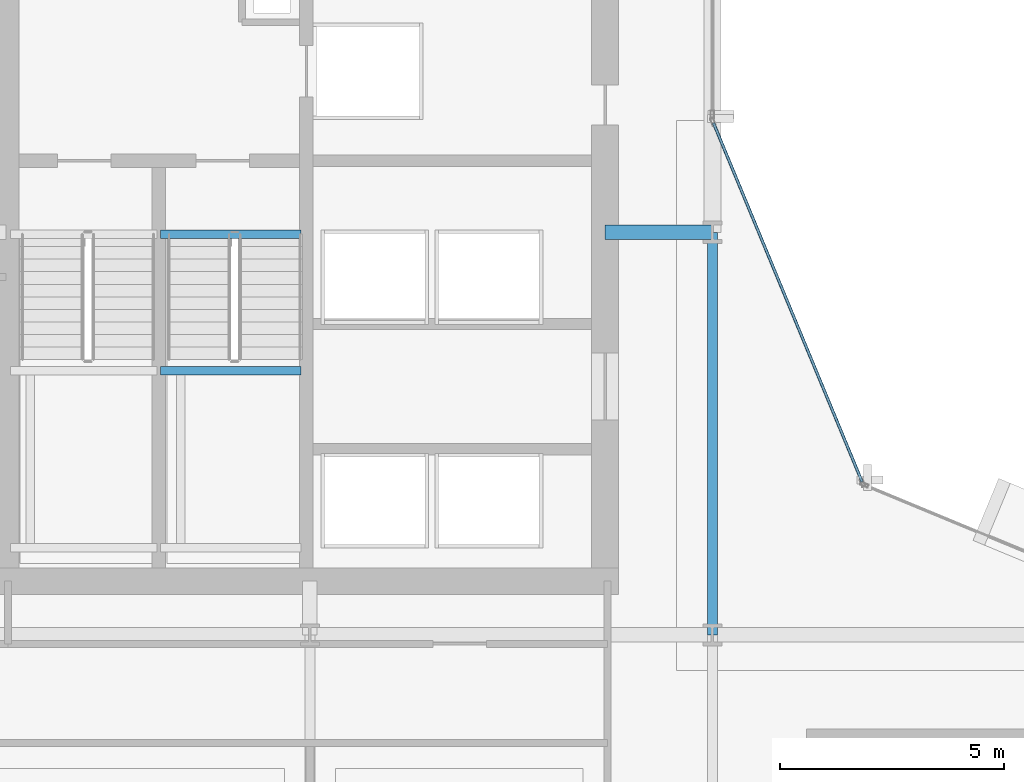
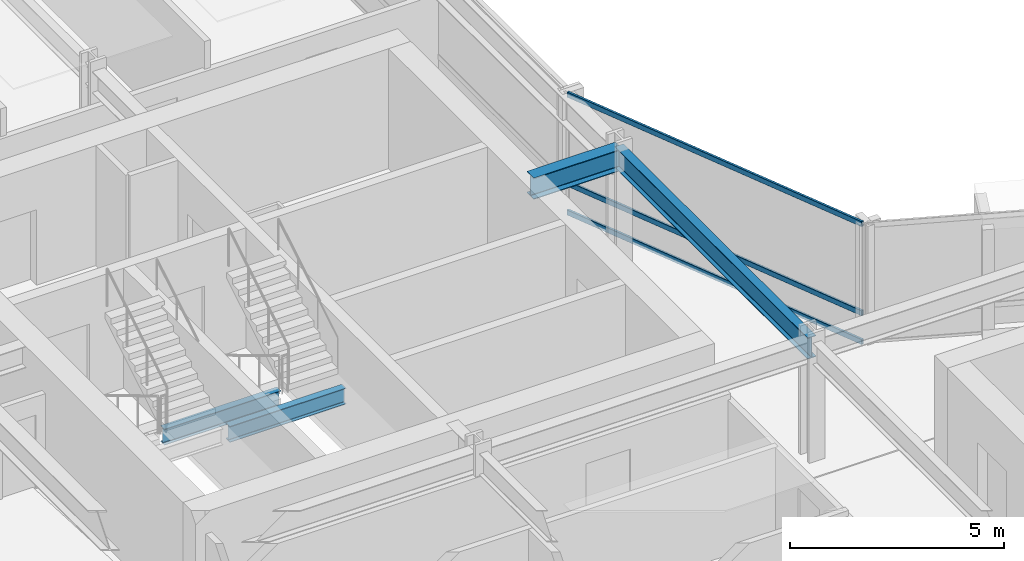
# One storey, part 20 of 34: 4 beams, 3 members, 1 element without a shape of its own.
"""IFC4 building model written with IfcOpenShell, lengths in metres."""

import ifcopenshell
import ifcopenshell.guid

model = None  # the IFC model being written
_history = None  # IfcOwnerHistory: only IFC2X3 demands one
_inside = {}  # id of a spatial element -> (the spatial element, [elements in it])
_under = {}  # id of a project, library or spatial element -> (it, [spatial elements below it])
_declared = {}  # id of a project -> (the project, [libraries it declares])
_typed = {}  # id of a type object -> (the type object, [elements of that type])
_made_of = {}  # id of a material, layer set ... -> (it, [elements and type objects made of it])


def new_model(schema):
    """Start an empty IFC model of exactly this schema.

    Asked for "IFC4X3", IfcOpenShell would pick the latest addendum, in which some entities
    have other attributes; the version numbers below select the first issue.
    IFC2X3 requires an IfcOwnerHistory on every rooted entity: one is made here for all.
    """
    global model, _history
    if schema == "IFC4X3":
        model = ifcopenshell.file(schema_version=(4, 3, 0, 0))
    else:
        model = ifcopenshell.file(schema=schema)
    _inside.clear()
    _under.clear()
    _declared.clear()
    _typed.clear()
    _made_of.clear()
    _history = None
    if model.schema == "IFC2X3":
        org = make("IfcOrganization", Name="unknown")
        user = make(
            "IfcPersonAndOrganization",
            ThePerson=make("IfcPerson", FamilyName="unknown"),
            TheOrganization=org,
        )
        app = make(
            "IfcApplication",
            ApplicationDeveloper=org,
            Version="unknown",
            ApplicationFullName="unknown",
            ApplicationIdentifier="unknown",
        )
        _history = make(
            "IfcOwnerHistory",
            OwningUser=user,
            OwningApplication=app,
            ChangeAction="ADDED",
            CreationDate=0,
        )
    return model


def make(cls, **values):
    """One entity of the class cls with the attributes given. An attribute that is None is left unset."""
    return model.create_entity(
        cls, **{name: value for name, value in values.items() if value is not None}
    )


def rooted(cls, **values):
    """An entity with a GlobalId (a new one), such as an element, a storey or a relation."""
    return make(cls, GlobalId=ifcopenshell.guid.new(), OwnerHistory=_history, **values)


def si_unit(unit_type, name, prefix=None):
    """IfcSIUnit, for example si_unit("LENGTHUNIT", "METRE", prefix="MILLI")."""
    return make("IfcSIUnit", UnitType=unit_type, Prefix=prefix, Name=name)


def assignment(units):
    """IfcUnitAssignment: the units of a project."""
    return None if units is None else make("IfcUnitAssignment", Units=units)


def point(xyz):
    """IfcCartesianPoint."""
    return None if xyz is None else make("IfcCartesianPoint", Coordinates=xyz)


def direction(xyz):
    """IfcDirection."""
    return None if xyz is None else make("IfcDirection", DirectionRatios=xyz)


def frame(location, z_axis=None, x_axis=None):
    """IfcAxis2Placement3D, a coordinate frame: its origin and axes. An axis left out is left unset."""
    return make(
        "IfcAxis2Placement3D",
        Location=point(location),
        Axis=direction(z_axis),
        RefDirection=direction(x_axis),
    )


def frame_2d(location, x_axis=None):
    """IfcAxis2Placement2D, a coordinate frame in the plane: its origin and x axis."""
    return make(
        "IfcAxis2Placement2D", Location=point(location), RefDirection=direction(x_axis)
    )


def origin():
    """The frame at (0, 0, 0) with its axes left unset."""
    return frame((0.0, 0.0, 0.0))


def origin_2d():
    """The frame at (0, 0) in the plane with its x axis left unset."""
    return frame_2d((0.0, 0.0))


def place(relative_to, where):
    """IfcLocalPlacement: puts the frame where relative to a parent placement (None: the world)."""
    return make(
        "IfcLocalPlacement", PlacementRelTo=relative_to, RelativePlacement=where
    )


def context(
    kind, dimensions, precision=None, world=None, true_north=None, identifier=None
):
    """IfcGeometricRepresentationContext, for example the 3D "Model" context."""
    return make(
        "IfcGeometricRepresentationContext",
        ContextIdentifier=identifier,
        ContextType=kind,
        CoordinateSpaceDimension=dimensions,
        Precision=precision,
        WorldCoordinateSystem=world,
        TrueNorth=true_north,
    )


def subcontext(parent, identifier, kind, view, scale=None):
    """IfcGeometricRepresentationSubContext, for example "Body" below "Model"."""
    return make(
        "IfcGeometricRepresentationSubContext",
        ContextIdentifier=identifier,
        ContextType=kind,
        ParentContext=parent,
        TargetScale=scale,
        TargetView=view,
    )


def project(units=None, contexts=None):
    """IfcProject with its units and contexts."""
    return rooted(
        "IfcProject",
        Name="project",
        RepresentationContexts=contexts,
        UnitsInContext=assignment(units),
    )


def spatial(cls, under=None, at=None, **own):
    """A site, building, storey or space (cls), placed at a placement, below another one or the project."""
    s = rooted(cls, ObjectPlacement=at, **own)
    if under is not None:
        _under.setdefault(under.id(), (under, []))[1].append(s)
    return s


def profile(cls, at=None, kind="AREA", **sizes):
    """A parametric profile (cls). Its sizes go by their IFC names, for example OverallWidth=200.0."""
    return make(cls, ProfileType=kind, Position=at, **sizes)


def hollow_rectangle(**sizes):
    """IfcRectangleHollowProfileDef."""
    return profile("IfcRectangleHollowProfileDef", **sizes)


def i_section(**sizes):
    """IfcIShapeProfileDef."""
    return profile("IfcIShapeProfileDef", **sizes)


def extrude(swept, where, along, depth):
    """IfcExtrudedAreaSolid: the profile swept, set in the frame where, extruded along a direction by depth."""
    return make(
        "IfcExtrudedAreaSolid",
        SweptArea=swept,
        Position=where,
        ExtrudedDirection=direction(along),
        Depth=depth,
    )


def shape(context_of_items, identifier, shape_type, items):
    """IfcShapeRepresentation: the items that make up one representation, for example the "Body"."""
    return make(
        "IfcShapeRepresentation",
        ContextOfItems=context_of_items,
        RepresentationIdentifier=identifier,
        RepresentationType=shape_type,
        Items=items,
    )


def material(Name=None, Category=None):
    """IfcMaterial."""
    return make("IfcMaterial", Name=Name, Category=Category)


def layer(
    of_material, thickness, ventilated=None, Name=None, Category=None, Priority=None
):
    """IfcMaterialLayer: one layer of a wall or slab, of a material (None: an air gap)."""
    return make(
        "IfcMaterialLayer",
        Material=of_material,
        LayerThickness=thickness,
        IsVentilated=ventilated,
        Name=Name,
        Category=Category,
        Priority=Priority,
    )


def layer_set(layers, Name=None):
    """IfcMaterialLayerSet."""
    return make("IfcMaterialLayerSet", MaterialLayers=layers, LayerSetName=Name)


def material_profile(
    of_material, cross_section, Name=None, Category=None, Priority=None
):
    """IfcMaterialProfile: a cross section and its material."""
    return make(
        "IfcMaterialProfile",
        Name=Name,
        Material=of_material,
        Profile=cross_section,
        Priority=Priority,
        Category=Category,
    )


def profile_set(profiles, Name=None, composite=None):
    """IfcMaterialProfileSet."""
    return make(
        "IfcMaterialProfileSet",
        Name=Name,
        MaterialProfiles=profiles,
        CompositeProfile=composite,
    )


def made_of(thing, what):
    """Note that an element or type object is made of a material, layer set ...; save() writes the relation."""
    if what is not None:
        _made_of.setdefault(what.id(), (what, []))[1].append(thing)
    return thing


def type_object(cls, material=None, **own):
    """A type object (cls), such as IfcWallType, which elements share."""
    return made_of(rooted(cls, **own), material)


def element(
    cls,
    number,
    at=None,
    inside=None,
    cuts=None,
    type_object=None,
    material=None,
    context=None,
    identifier="Body",
    shape_type=None,
    held_by="IfcProductDefinitionShape",
    body=None,
    shapes=None,
    **own,
):
    """One element of the class cls, such as IfcWall. Its Tag is "e" and its number.

    at: its placement. inside: the storey or other place that contains it. cuts: it is an
    opening in that element (IfcRelVoidsElement). A single representation is given by context,
    identifier, shape_type and body (its items); several are given by shapes. held_by: the class
    of the entity that holds the representations. save() writes the other relations.
    """
    e = rooted(cls, Tag="e%d" % number, ObjectPlacement=at, **own)
    if body is not None:
        shapes = [shape(context, identifier, shape_type, body)]
    if shapes is not None:
        e.Representation = make(held_by, Representations=shapes)
    if inside is not None:
        _inside.setdefault(inside.id(), (inside, []))[1].append(e)
    if cuts is not None:
        rooted(
            "IfcRelVoidsElement", RelatingBuildingElement=cuts, RelatedOpeningElement=e
        )
    if type_object is not None:
        _typed.setdefault(type_object.id(), (type_object, []))[1].append(e)
    return made_of(e, material)


def aggregate(whole, parts):
    """IfcRelAggregates: a whole, such as a stair, and the parts it consists of."""
    return rooted("IfcRelAggregates", RelatingObject=whole, RelatedObjects=parts)


def save(model, path):
    """Write the relations noted so far, then the file.

    IfcRelAggregates (storeys below a building ...), IfcRelContainedInSpatialStructure (elements
    in a storey), IfcRelDefinesByType, IfcRelAssociatesMaterial and IfcRelDeclares: one each for
    every whole, place, type object, material and project.
    """
    for whole, parts in _under.values():
        aggregate(whole, parts)
    for where, things in _inside.values():
        rooted(
            "IfcRelContainedInSpatialStructure",
            RelatedElements=things,
            RelatingStructure=where,
        )
    for kind, things in _typed.values():
        rooted("IfcRelDefinesByType", RelatedObjects=things, RelatingType=kind)
    for what, things in _made_of.values():
        rooted("IfcRelAssociatesMaterial", RelatedObjects=things, RelatingMaterial=what)
    for by, libraries in _declared.values():
        rooted("IfcRelDeclares", RelatingContext=by, RelatedDefinitions=libraries)
    model.write(path)


model = new_model("IFC4")

# Units and contexts
model_context = context("Model", 3, precision=1e-05, world=origin(), true_north=direction((0.0, 1.0)))
body_context = subcontext(model_context, "Body", "Model", "MODEL_VIEW")
ifc_project = project(units=[si_unit("LENGTHUNIT", "METRE"), si_unit("AREAUNIT", "SQUARE_METRE"), si_unit("VOLUMEUNIT", "CUBIC_METRE"), si_unit("PLANEANGLEUNIT", "RADIAN"), si_unit("MASSUNIT", "GRAM", prefix="KILO")], contexts=[model_context])

# Site, building, storey
site_placement = place(None, origin())
site = spatial("IfcSite", under=ifc_project, at=site_placement, CompositionType="ELEMENT")
building_placement = place(site_placement, origin())
building = spatial("IfcBuilding", under=site, at=building_placement, Name="Solvaryn Broadcast Tower", CompositionType="ELEMENT")
storey_placement = place(building_placement, frame((0.0, 0.0, 43.39990234375)))
storey = spatial("IfcBuildingStorey", under=building, at=storey_placement, Name="L09", CompositionType="ELEMENT", Elevation=43.39990234375)

# Beams
ifc_material_1 = material(Name="Steel ASTM A992 Grade 50", Category="steel")
ifc_material_profile_1 = material_profile(ifc_material_1, i_section(OverallWidth=0.323974609375, OverallDepth=0.611083984375, WebThickness=0.0126953125, FlangeThickness=0.01904296875, FilletRadius=0.014892578125, at=origin_2d()))
ifc_profile_set_1 = profile_set([ifc_material_profile_1], Name="Steel ASTM A992 Grade 50")
beam_type_1 = type_object("IfcBeamType", Name="BM-B1-W24X104", PredefinedType="BEAM", material=ifc_profile_set_1)
beam_1_placement = place(storey_placement, frame((24.60009765625, 36.0, 3.114501953125), z_axis=(1.0, 0.0, 0.0), x_axis=(0.0, 1.0, 0.0)))
element("IfcBeam", 1, at=beam_1_placement, inside=storey, type_object=beam_type_1, Name="L09 Core Tie Beam CTW2", PredefinedType="BEAM", context=body_context, shape_type="SweptSolid", body=[
    extrude(i_section(OverallWidth=0.323974609375, OverallDepth=0.611083984375, WebThickness=0.0126953125, FlangeThickness=0.01904296875, FilletRadius=0.014892578125, at=origin_2d()), origin(), (0.0, 0.0, 1.0), 2.39990234375),
])
ifc_material_2 = material(Name="Steel ASTM A992 Grade 50", Category="steel")
ifc_material_profile_2 = material_profile(ifc_material_2, i_section(OverallWidth=0.22802734375, OverallDepth=0.60791015625, WebThickness=0.01123046875, FlangeThickness=0.017333984375, FilletRadius=0.014892578125, at=origin_2d()))
ifc_profile_set_2 = profile_set([ifc_material_profile_2], Name="Steel ASTM A992 Grade 50")
beam_type_2 = type_object("IfcBeamType", Name="BM-B2-W24X76", PredefinedType="BEAM", material=ifc_profile_set_2)
beam_2_placement = place(storey_placement, frame((27.0, 27.0, 3.1162109375), z_axis=(0.0, 1.0, 0.0), x_axis=(-1.0, 0.0, 0.0)))
element("IfcBeam", 2, at=beam_2_placement, inside=storey, type_object=beam_type_2, Name="L09 Primary Beam Y (27-36 @ X=27)", PredefinedType="BEAM", context=body_context, shape_type="SweptSolid", body=[
    extrude(i_section(OverallWidth=0.22802734375, OverallDepth=0.60791015625, WebThickness=0.01123046875, FlangeThickness=0.017333984375, FilletRadius=0.014892578125, at=origin_2d()), origin(), (0.0, 0.0, 1.0), 9.0),
])
ifc_material_3 = material(Name="Steel ASTM A992 Grade 50", Category="steel")
ifc_material_profile_3 = material_profile(ifc_material_3, i_section(OverallWidth=0.18994140625, OverallDepth=0.45703125, WebThickness=0.009033203125, FlangeThickness=0.014404296875, FilletRadius=0.011962890625, at=origin_2d()))
ifc_profile_set_3 = profile_set([ifc_material_profile_3], Name="Steel ASTM A992 Grade 50")
beam_type_3 = type_object("IfcBeamType", Name="BM-B4-W18X50", PredefinedType="BEAM", material=ifc_profile_set_3)
for number, where, z_axis, x_axis, name in (
    (3, (14.659912109375, 35.9599609375, -0.50830078125), (1.0, 0.0, 0.0), (0.0, 1.0, 0.0), "L09 ST2 Stair Well Trimmer Beam"),
    (4, (14.659912109375, 32.909912109375, 1.421630859375), (1.0, 0.0, 0.0), (0.0, 1.0, 0.0), "L09 ST2 Landing Support Beam 1B"),
):
    element("IfcBeam", number, at=place(storey_placement, frame(where, z_axis=z_axis, x_axis=x_axis)), inside=storey, type_object=beam_type_3, Name=name, PredefinedType="BEAM", context=body_context, shape_type="SweptSolid", body=[
        extrude(i_section(OverallWidth=0.18994140625, OverallDepth=0.45703125, WebThickness=0.009033203125, FlangeThickness=0.014404296875, FilletRadius=0.011962890625, at=origin_2d()), origin(), (0.0, 0.0, 1.0), 3.14013671875),
    ])

# Curtain wall, members
ifc_material_4 = material(Name="Aluminium and Terracotta Unitised Curtain Wall", Category="masonry")
ifc_layer = layer(ifc_material_4, 0.199951171875)
ifc_layer_set = layer_set([ifc_layer], Name="CW-SYS2-LOWMID")
curtain_wall_type = type_object("IfcCurtainWallType", Name="CW-SYS2-LOWMID", PredefinedType="NOTDEFINED", material=ifc_layer_set)
curtain_wall_placement = place(storey_placement, origin())
curtain_wall = element("IfcCurtainWall", 5, at=curtain_wall_placement, inside=storey, type_object=curtain_wall_type, Name="L09 Curtain Wall CN2", PredefinedType="NOTDEFINED")
ifc_material_5 = material(Name="Anodised Aluminium 6063-T6", Category="aluminium")
ifc_material_profile_4 = material_profile(ifc_material_5, hollow_rectangle(XDim=0.06494140625, YDim=0.14990234375, WallThickness=0.00390625, InnerFilletRadius=0.00390625, OuterFilletRadius=0.008056640625, at=origin_2d()))
ifc_profile_set_4 = profile_set([ifc_material_profile_4], Name="Anodised Aluminium 6063-T6")
member_type = type_object("IfcMemberType", Name="CW-TRN-150", PredefinedType="USERDEFINED", material=ifc_profile_set_4)
member_1_placement = place(storey_placement, frame((30.344970703125, 30.42333984375, 0.030029296875), z_axis=(-0.382635748975, 0.923899282177, 0.0), x_axis=(-0.923899282177, -0.382635748975, 0.0)))
member_1 = element("IfcMember", 6, at=member_1_placement, type_object=member_type, Name="CWS2 transom 1.1", ObjectType="TRANSOM", PredefinedType="USERDEFINED", context=body_context, shape_type="SweptSolid", body=[
    extrude(hollow_rectangle(XDim=0.06494140625, YDim=0.14990234375, WallThickness=0.00390625, InnerFilletRadius=0.00390625, OuterFilletRadius=0.008056640625, at=origin_2d()), origin(), (0.0, 0.0, 1.0), 8.681884765625),
])
member_2_placement = place(storey_placement, frame((30.344970703125, 30.42333984375, 0.85009765625), z_axis=(-0.382635748975, 0.923899282177, 0.0), x_axis=(-0.923899282177, -0.382635748975, 0.0)))
member_2 = element("IfcMember", 7, at=member_2_placement, type_object=member_type, Name="CWS2 transom 1.2", ObjectType="TRANSOM", PredefinedType="USERDEFINED", context=body_context, shape_type="SweptSolid", body=[
    extrude(hollow_rectangle(XDim=0.06494140625, YDim=0.14990234375, WallThickness=0.00390625, InnerFilletRadius=0.00390625, OuterFilletRadius=0.008056640625, at=origin_2d()), origin(), (0.0, 0.0, 1.0), 8.681884765625),
])
member_3_placement = place(storey_placement, frame((30.344970703125, 30.42333984375, 3.39013671875), z_axis=(-0.382635748975, 0.923899282177, 0.0), x_axis=(-0.923899282177, -0.382635748975, 0.0)))
member_3 = element("IfcMember", 8, at=member_3_placement, type_object=member_type, Name="CWS2 transom 1.3", ObjectType="TRANSOM", PredefinedType="USERDEFINED", context=body_context, shape_type="SweptSolid", body=[
    extrude(hollow_rectangle(XDim=0.06494140625, YDim=0.14990234375, WallThickness=0.00390625, InnerFilletRadius=0.00390625, OuterFilletRadius=0.008056640625, at=origin_2d()), origin(), (0.0, 0.0, 1.0), 8.681884765625),
])
aggregate(curtain_wall, [member_1, member_2, member_3])

save(model, "model.ifc")
